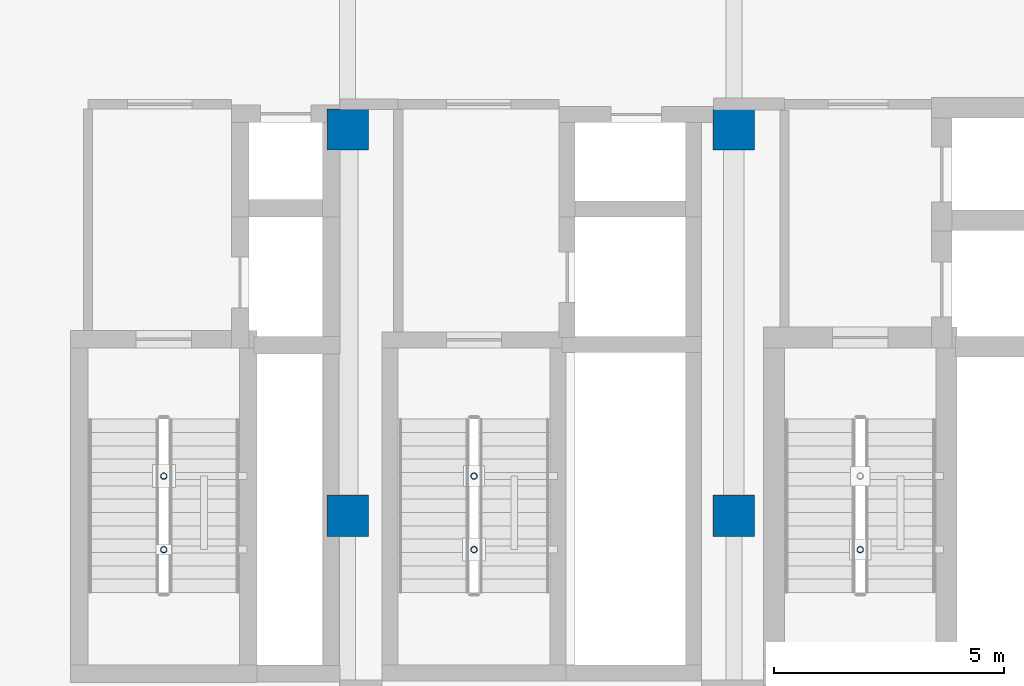
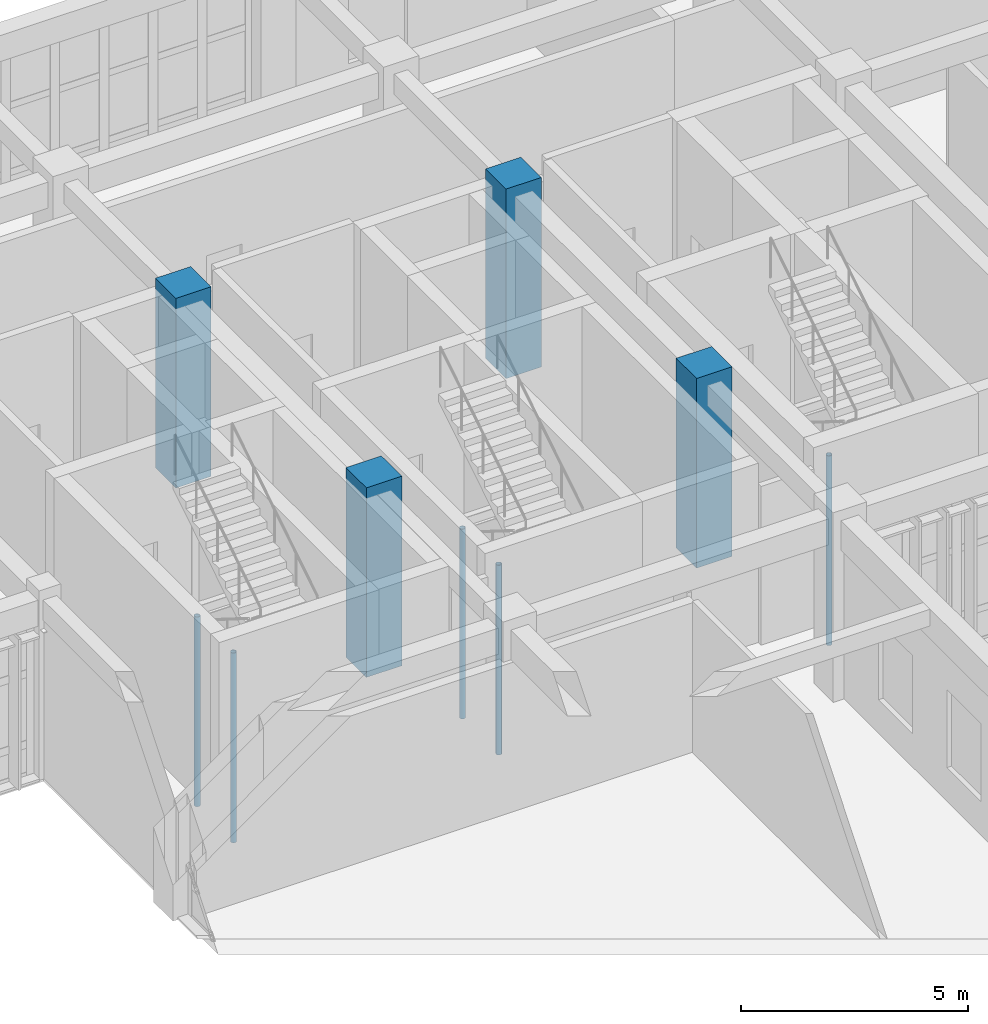
# One storey, part 12 of 106: 9 columns.
"""IFC4 building model written with IfcOpenShell, lengths in metres."""

from ifc_helpers import new_model, si_unit, direction, frame, origin, origin_2d, place, context, subcontext, project, spatial, rectangle, hollow_circle, extrude, material, material_profile, profile_set, type_object, element, save


model = new_model("IFC4")

# Units and contexts
model_context = context("Model", 3, precision=1e-05, world=origin(), true_north=direction((0.0, 1.0)))
body_context = subcontext(model_context, "Body", "Model", "MODEL_VIEW")
ifc_project = project(units=[si_unit("LENGTHUNIT", "METRE"), si_unit("AREAUNIT", "SQUARE_METRE"), si_unit("VOLUMEUNIT", "CUBIC_METRE"), si_unit("PLANEANGLEUNIT", "RADIAN"), si_unit("MASSUNIT", "GRAM", prefix="KILO")], contexts=[model_context])

# Site, building, storey
site_placement = place(None, origin())
site = spatial("IfcSite", under=ifc_project, at=site_placement, CompositionType="ELEMENT")
building_placement = place(site_placement, origin())
building = spatial("IfcBuilding", under=site, at=building_placement, Name="Krzemoval Escarpment Law Courts", CompositionType="ELEMENT")
storey_placement = place(building_placement, frame((0.0, 0.0, 5.10009765625)))
storey = spatial("IfcBuildingStorey", under=building, at=storey_placement, Name="L01", CompositionType="ELEMENT", Elevation=5.10009765625)

# Columns
ifc_material_1 = material(Name="Concrete C50/60", Category="concrete")
ifc_material_profile_1 = material_profile(ifc_material_1, rectangle(XDim=0.89990234375, YDim=0.89990234375, at=origin_2d()), Name="RC 900x900")
ifc_profile_set_1 = profile_set([ifc_material_profile_1], Name="Concrete C50/60")
column_type_1 = type_object("IfcColumnType", Name="COL-RC-900", PredefinedType="COLUMN", material=ifc_profile_set_1)
for number, where, z_axis, x_axis, name in (
    (1, (134.39990234375, 99.60009765625, 0.0), (0.0, 0.0, 1.0), (1.0, 0.0, 0.0), "Column FC-L01-0733"),
    (2, (134.39990234375, 108.0, 0.0), (0.0, 0.0, 1.0), (1.0, 0.0, 0.0), "Column FC-L01-0734"),
    (3, (142.800048828125, 99.60009765625, 0.0), (0.0, 0.0, 1.0), (1.0, 0.0, 0.0), "Column FC-L01-0750"),
    (4, (142.800048828125, 108.0, 0.0), (0.0, 0.0, 1.0), (1.0, 0.0, 0.0), "Column FC-L01-0751"),
):
    element("IfcColumn", number, at=place(storey_placement, frame(where, z_axis=z_axis, x_axis=x_axis)), inside=storey, type_object=column_type_1, Name=name, PredefinedType="COLUMN", context=body_context, shape_type="SweptSolid", body=[
        extrude(rectangle(XDim=0.89990234375, YDim=0.89990234375, at=origin_2d()), origin(), (0.0, 0.0, 1.0), 5.099853515625),
    ])
ifc_material_2 = material(Name="Steel S355", Category="steel")
ifc_material_profile_2 = material_profile(ifc_material_2, hollow_circle(Radius=0.06982421875, WallThickness=0.008056640625, at=origin_2d()), Name="CHS 139.7x8")
ifc_profile_set_2 = profile_set([ifc_material_profile_2], Name="Steel S355")
column_type_2 = type_object("IfcColumnType", Name="COL-S355-CHS140", PredefinedType="COLUMN", material=ifc_profile_set_2)
for number, where, z_axis, x_axis, name in (
    (5, (130.39990234375, 98.860107421875, -2.97998046875), (0.0, 0.0, 1.0), (1.0, 0.0, 0.0), "Stair Well Post SCP-C1-L01-1"),
    (6, (130.39990234375, 100.4599609375, -2.97998046875), (0.0, 0.0, 1.0), (1.0, 0.0, 0.0), "Stair Well Post SCP-C1-L01-2"),
    (7, (137.14990234375, 98.860107421875, -2.97998046875), (0.0, 0.0, 1.0), (1.0, 0.0, 0.0), "Stair Well Post SCP-C2-L01-1"),
    (8, (137.14990234375, 100.4599609375, -2.97998046875), (0.0, 0.0, 1.0), (1.0, 0.0, 0.0), "Stair Well Post SCP-C2-L01-2"),
    (9, (145.550048828125, 98.860107421875, -2.97998046875), (0.0, 0.0, 1.0), (1.0, 0.0, 0.0), "Stair Well Post SCP-C3-L01-1"),
):
    element("IfcColumn", number, at=place(storey_placement, frame(where, z_axis=z_axis, x_axis=x_axis)), inside=storey, type_object=column_type_2, Name=name, PredefinedType="COLUMN", context=body_context, shape_type="SweptSolid", body=[
        extrude(hollow_circle(Radius=0.06982421875, WallThickness=0.008056640625, at=origin_2d()), origin(), (0.0, 0.0, 1.0), 5.099853515625),
    ])

save(model, "model.ifc")
